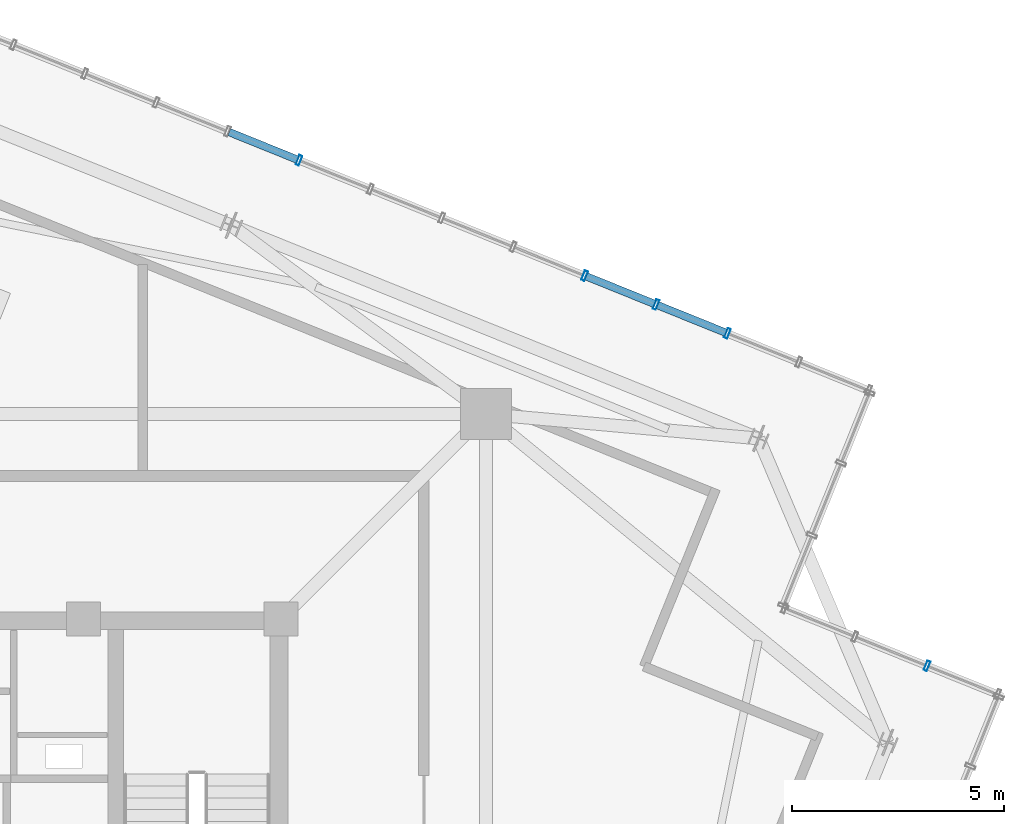
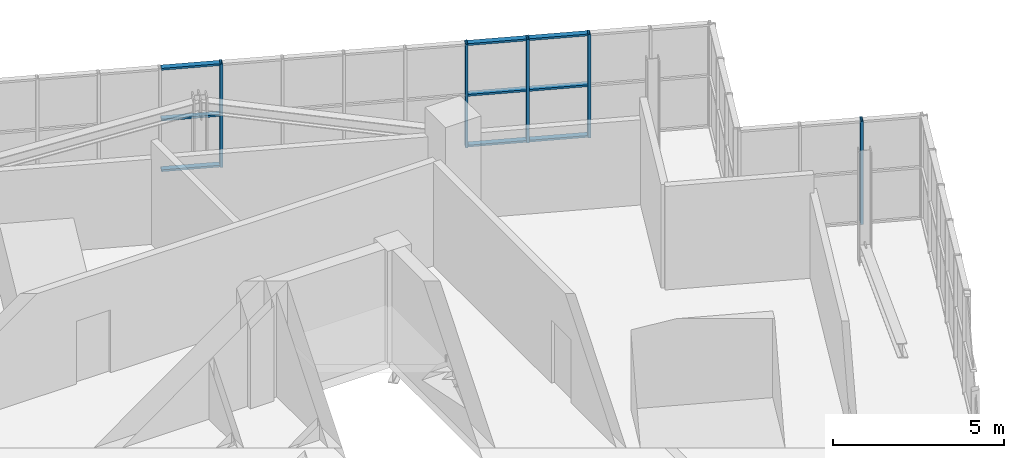
# One storey, part 17 of 26: 14 members, 2 elements without a shape of their own.
"""IFC4 building model written with IfcOpenShell, lengths in metres."""

from ifc_helpers import new_model, si_unit, direction, frame, origin, origin_2d, place, context, subcontext, project, spatial, hollow_rectangle, extrude, source, transform, mapped, material, layer, layer_set, material_profile, profile_set, type_object, element, aggregate, save


model = new_model("IFC4")

# Units and contexts
model_context = context("Model", 3, precision=1e-05, world=origin(), true_north=direction((0.0, 1.0)))
body_context = subcontext(model_context, "Body", "Model", "MODEL_VIEW")
ifc_project = project(units=[si_unit("LENGTHUNIT", "METRE"), si_unit("AREAUNIT", "SQUARE_METRE"), si_unit("VOLUMEUNIT", "CUBIC_METRE"), si_unit("PLANEANGLEUNIT", "RADIAN"), si_unit("MASSUNIT", "GRAM", prefix="KILO"), si_unit("THERMODYNAMICTEMPERATUREUNIT", "KELVIN")], contexts=[model_context])

# Site, building, storey
site_placement = place(None, origin())
site = spatial("IfcSite", under=ifc_project, at=site_placement, CompositionType="ELEMENT")
building_placement = place(site_placement, origin())
building = spatial("IfcBuilding", under=site, at=building_placement, Name="Kosmvard Interchange Tower", CompositionType="ELEMENT")
storey_placement = place(building_placement, frame((0.0, 0.0, 329.60009765625)))
storey = spatial("IfcBuildingStorey", under=building, at=storey_placement, Name="L81", CompositionType="ELEMENT", Elevation=329.60009765625)

# Curtain wall, member
ifc_material = material(Name="Architectural anodised aluminium", Category="aluminium")
ifc_layer = layer(ifc_material, 0.25, Name="Architectural anodised aluminium")
ifc_layer_set = layer_set([ifc_layer], Name="Architectural anodised aluminium")
curtain_wall_type = type_object("IfcCurtainWallType", Name="CW-6 Illuminated Crown Lantern Curtain Wall", PredefinedType="NOTDEFINED", material=ifc_layer_set)
curtain_wall_1_placement = place(storey_placement, origin())
curtain_wall_1 = element("IfcCurtainWall", 1, at=curtain_wall_1_placement, inside=storey, type_object=curtain_wall_type, Name="L81 Crown Lantern Glazing Face 02", PredefinedType="NOTDEFINED")
ifc_material_profile_1 = material_profile(ifc_material, hollow_rectangle(XDim=0.239990234375, YDim=0.080078125, WallThickness=0.006103515625, at=origin_2d()), Name="CWM 240x80x6")
ifc_profile_set_1 = profile_set([ifc_material_profile_1], Name="Architectural anodised aluminium")
member_type_1 = type_object("IfcMemberType", Name="Lantern & Observation CW Mullion 240x80 Aluminium", PredefinedType="MULLION", material=ifc_profile_set_1)
shared_shape_1 = source(origin(), body_context, "Body", "SweptSolid", [
    extrude(hollow_rectangle(XDim=0.239990234375, YDim=0.080078125, WallThickness=0.006103515625, at=origin_2d()), origin(), (0.0, 0.0, 1.0), 3.699951171875),
])
member_1_placement = place(storey_placement, frame((23.473388671875, 7.147216796875, 0.0), z_axis=(0.0, 0.0, 1.0), x_axis=(-0.374606564822, -0.92718386612, 0.0)))
member_1 = element("IfcMember", 2, at=member_1_placement, type_object=member_type_1, Name="CW-6 mullion 2", PredefinedType="MULLION", context=body_context, shape_type="MappedRepresentation", body=[
    mapped(shared_shape_1, transform((0.0, 0.0, 0.0), scale=1.0)),
])
aggregate(curtain_wall_1, [member_1])

# Curtain wall, members
curtain_wall_2_placement = place(storey_placement, origin())
curtain_wall_2 = element("IfcCurtainWall", 3, at=curtain_wall_2_placement, inside=storey, type_object=curtain_wall_type, Name="L81 Crown Lantern Glazing Face 04", PredefinedType="NOTDEFINED")
member_2_placement = place(storey_placement, frame((18.77001953125, 14.9794921875, 0.0), z_axis=(0.0, 0.0, 1.0), x_axis=(-0.374606584758, -0.927183858065, 0.0)))
member_2 = element("IfcMember", 4, at=member_2_placement, type_object=member_type_1, Name="CW-6 mullion 3", PredefinedType="MULLION", context=body_context, shape_type="MappedRepresentation", body=[
    mapped(shared_shape_1, transform((0.0, 0.0, 0.0), scale=1.0)),
])
member_3_placement = place(storey_placement, frame((17.087890625, 15.658935546875, 0.0), z_axis=(0.0, 0.0, 1.0), x_axis=(-0.374606584758, -0.927183858065, 0.0)))
member_3 = element("IfcMember", 5, at=member_3_placement, type_object=member_type_1, Name="CW-6 mullion 4", PredefinedType="MULLION", context=body_context, shape_type="MappedRepresentation", body=[
    mapped(shared_shape_1, transform((0.0, 0.0, 0.0), scale=1.0)),
])
member_4_placement = place(storey_placement, frame((15.40576171875, 16.338623046875, 0.0), z_axis=(0.0, 0.0, 1.0), x_axis=(-0.374606584758, -0.927183858065, 0.0)))
member_4 = element("IfcMember", 6, at=member_4_placement, type_object=member_type_1, Name="CW-6 mullion 5", PredefinedType="MULLION", context=body_context, shape_type="MappedRepresentation", body=[
    mapped(shared_shape_1, transform((0.0, 0.0, 0.0), scale=1.0)),
])
member_5_placement = place(storey_placement, frame((8.677734375, 19.056884765625, 0.0), z_axis=(0.0, 0.0, 1.0), x_axis=(-0.374606584758, -0.927183858065, 0.0)))
member_5 = element("IfcMember", 7, at=member_5_placement, type_object=member_type_1, Name="CW-6 mullion 9", PredefinedType="MULLION", context=body_context, shape_type="MappedRepresentation", body=[
    mapped(shared_shape_1, transform((0.0, 0.0, 0.0), scale=1.0)),
])
ifc_material_profile_2 = material_profile(ifc_material, hollow_rectangle(XDim=0.179931640625, YDim=0.070068359375, WallThickness=0.0048828125, at=origin_2d()), Name="CWT 180x70x5")
ifc_profile_set_2 = profile_set([ifc_material_profile_2], Name="Architectural anodised aluminium")
member_type_2 = type_object("IfcMemberType", Name="Heavy Lantern CW Transom 180x70 Aluminium", PredefinedType="USERDEFINED", material=ifc_profile_set_2)
shared_shape_2 = source(origin(), body_context, "Body", "SweptSolid", [
    extrude(hollow_rectangle(XDim=0.179931640625, YDim=0.070068359375, WallThickness=0.0048828125, at=origin_2d()), origin(), (0.0, 0.0, 1.0), 1.734130859375),
])
member_6_placement = place(storey_placement, frame((18.73291015625, 14.994384765625, 0.034912109375), z_axis=(-0.927179782522, 0.374616671924, 0.0), x_axis=(-0.374616671924, -0.927179782522, 0.0)))
member_6 = element("IfcMember", 8, at=member_6_placement, type_object=member_type_2, Name="CW-6 transom 3.1", ObjectType="TRANSOM", PredefinedType="USERDEFINED", context=body_context, shape_type="MappedRepresentation", body=[
    mapped(shared_shape_2, transform((0.0, 0.0, 0.0), scale=1.0)),
])
member_7_placement = place(storey_placement, frame((18.73291015625, 14.994384765625, 1.849853515625), z_axis=(-0.927179782522, 0.374616671924, 0.0), x_axis=(-0.374616671924, -0.927179782522, 0.0)))
member_7 = element("IfcMember", 9, at=member_7_placement, type_object=member_type_2, Name="CW-6 transom 3.2", ObjectType="TRANSOM", PredefinedType="USERDEFINED", context=body_context, shape_type="MappedRepresentation", body=[
    mapped(shared_shape_2, transform((0.0, 0.0, 0.0), scale=1.0)),
])
member_8_placement = place(storey_placement, frame((18.73291015625, 14.994384765625, 3.664794921875), z_axis=(-0.927179782522, 0.374616671924, 0.0), x_axis=(-0.374616671924, -0.927179782522, 0.0)))
member_8 = element("IfcMember", 10, at=member_8_placement, type_object=member_type_2, Name="CW-6 transom 3.3", ObjectType="TRANSOM", PredefinedType="USERDEFINED", context=body_context, shape_type="MappedRepresentation", body=[
    mapped(shared_shape_2, transform((0.0, 0.0, 0.0), scale=1.0)),
])
member_9_placement = place(storey_placement, frame((17.05078125, 15.674072265625, 0.034912109375), z_axis=(-0.927228675447, 0.374495638732, 0.0), x_axis=(-0.374495638732, -0.927228675447, 0.0)))
member_9 = element("IfcMember", 11, at=member_9_placement, type_object=member_type_2, Name="CW-6 transom 4.1", ObjectType="TRANSOM", PredefinedType="USERDEFINED", context=body_context, shape_type="MappedRepresentation", body=[
    mapped(shared_shape_2, transform((0.0, 0.0, 0.0), scale=1.0)),
])
member_10_placement = place(storey_placement, frame((17.05078125, 15.674072265625, 1.849853515625), z_axis=(-0.927228675447, 0.374495638732, 0.0), x_axis=(-0.374495638732, -0.927228675447, 0.0)))
member_10 = element("IfcMember", 12, at=member_10_placement, type_object=member_type_2, Name="CW-6 transom 4.2", ObjectType="TRANSOM", PredefinedType="USERDEFINED", context=body_context, shape_type="MappedRepresentation", body=[
    mapped(shared_shape_2, transform((0.0, 0.0, 0.0), scale=1.0)),
])
member_11_placement = place(storey_placement, frame((17.05078125, 15.674072265625, 3.664794921875), z_axis=(-0.927228675447, 0.374495638732, 0.0), x_axis=(-0.374495638732, -0.927228675447, 0.0)))
member_11 = element("IfcMember", 13, at=member_11_placement, type_object=member_type_2, Name="CW-6 transom 4.3", ObjectType="TRANSOM", PredefinedType="USERDEFINED", context=body_context, shape_type="MappedRepresentation", body=[
    mapped(shared_shape_2, transform((0.0, 0.0, 0.0), scale=1.0)),
])
shared_shape_3 = source(origin(), body_context, "Body", "SweptSolid", [
    extrude(hollow_rectangle(XDim=0.179931640625, YDim=0.070068359375, WallThickness=0.0048828125, at=origin_2d()), origin(), (0.0, 0.0, 1.0), 1.73388671875),
])
member_12_placement = place(storey_placement, frame((8.640625, 19.07177734375, 0.034912109375), z_axis=(-0.927160021861, 0.374665576032, 0.0), x_axis=(-0.374665576032, -0.927160021861, 0.0)))
member_12 = element("IfcMember", 14, at=member_12_placement, type_object=member_type_2, Name="CW-6 transom 9.1", ObjectType="TRANSOM", PredefinedType="USERDEFINED", context=body_context, shape_type="MappedRepresentation", body=[
    mapped(shared_shape_3, transform((0.0, 0.0, 0.0), scale=1.0)),
])
member_13_placement = place(storey_placement, frame((8.640625, 19.07177734375, 1.849853515625), z_axis=(-0.927160021861, 0.374665576032, 0.0), x_axis=(-0.374665576032, -0.927160021861, 0.0)))
member_13 = element("IfcMember", 15, at=member_13_placement, type_object=member_type_2, Name="CW-6 transom 9.2", ObjectType="TRANSOM", PredefinedType="USERDEFINED", context=body_context, shape_type="MappedRepresentation", body=[
    mapped(shared_shape_3, transform((0.0, 0.0, 0.0), scale=1.0)),
])
member_14_placement = place(storey_placement, frame((8.640625, 19.07177734375, 3.664794921875), z_axis=(-0.927160021861, 0.374665576032, 0.0), x_axis=(-0.374665576032, -0.927160021861, 0.0)))
member_14 = element("IfcMember", 16, at=member_14_placement, type_object=member_type_2, Name="CW-6 transom 9.3", ObjectType="TRANSOM", PredefinedType="USERDEFINED", context=body_context, shape_type="MappedRepresentation", body=[
    mapped(shared_shape_3, transform((0.0, 0.0, 0.0), scale=1.0)),
])
aggregate(curtain_wall_2, [member_2, member_3, member_4, member_5, member_6, member_7, member_8, member_9, member_10, member_11, member_12, member_13, member_14])

save(model, "model.ifc")
